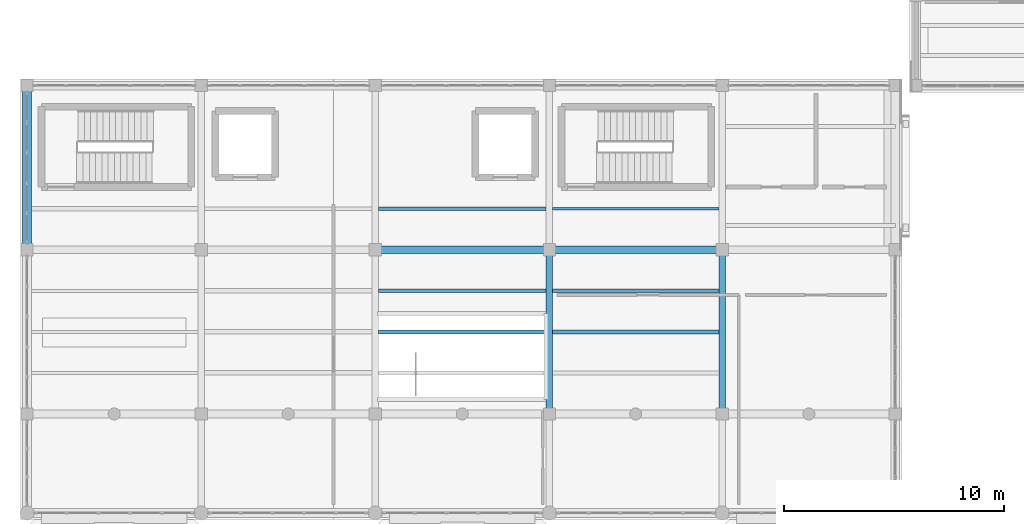
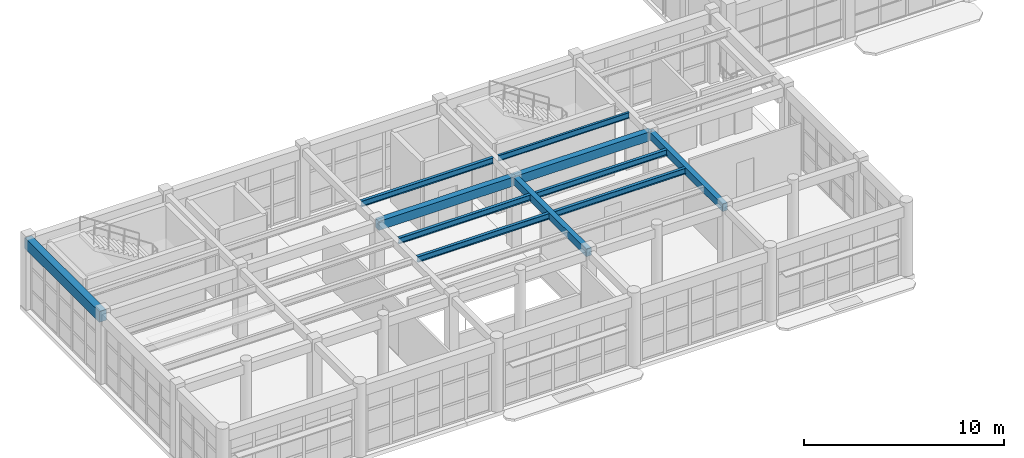
# One storey, part 9 of 85: 11 beams.
"""IFC4 building model written with IfcOpenShell, lengths in metres."""

from ifc_helpers import new_model, si_unit, direction, frame, origin, origin_2d, place, context, subcontext, project, spatial, rectangle, i_section, extrude, material, material_profile, profile_set, type_object, element, save


model = new_model("IFC4")

# Units and contexts
model_context = context("Model", 3, precision=1e-05, world=origin(), true_north=direction((0.0, 1.0)))
body_context = subcontext(model_context, "Body", "Model", "MODEL_VIEW")
ifc_project = project(units=[si_unit("LENGTHUNIT", "METRE"), si_unit("AREAUNIT", "SQUARE_METRE"), si_unit("VOLUMEUNIT", "CUBIC_METRE"), si_unit("PLANEANGLEUNIT", "RADIAN"), si_unit("MASSUNIT", "GRAM", prefix="KILO")], contexts=[model_context])

# Site, building, storey
site_placement = place(None, origin())
site = spatial("IfcSite", under=ifc_project, at=site_placement, CompositionType="ELEMENT")
building_placement = place(site_placement, origin())
building = spatial("IfcBuilding", under=site, at=building_placement, Name="Candilejo Ridge Gondola Terminal", CompositionType="ELEMENT")
storey_placement = place(building_placement, frame((0.0, 0.0, 4.5)))
storey = spatial("IfcBuildingStorey", under=building, at=storey_placement, Name="L01", CompositionType="ELEMENT", Elevation=4.5)

# Beams
ifc_material_1 = material(Name="Concrete f'c 35 MPa (C35/45)", Category="concrete")
ifc_material_profile_1 = material_profile(ifc_material_1, rectangle(XDim=0.300048828125, YDim=0.449951171875, at=origin_2d()))
ifc_profile_set_1 = profile_set([ifc_material_profile_1], Name="Concrete f'c 35 MPa (C35/45)")
beam_type_1 = type_object("IfcBeamType", Name="STR-BM-RC300X450", PredefinedType="BEAM", material=ifc_profile_set_1)
for number, where, z_axis, x_axis, name in (
    (1, (28.0, 10.800048828125, 4.02490234375), (0.0, 1.0, 0.0), (-1.0, 0.0, 0.0), "Beam Y V1 L01 Y02-Y03@X04"),
    (2, (35.85009765625, 10.800048828125, 4.02490234375), (0.0, 1.0, 0.0), (-1.0, 0.0, 0.0), "Beam Y V1 L01 Y02-Y03@X05"),
):
    element("IfcBeam", number, at=place(storey_placement, frame(where, z_axis=z_axis, x_axis=x_axis)), inside=storey, type_object=beam_type_1, Name=name, PredefinedType="BEAM", context=body_context, shape_type="SweptSolid", body=[
        extrude(rectangle(XDim=0.300048828125, YDim=0.449951171875, at=origin_2d()), origin(), (0.0, 0.0, 1.0), 7.449951171875),
    ])
ifc_material_2 = material(Name="Concrete f'c 35 MPa (C35/45)", Category="concrete")
ifc_material_profile_2 = material_profile(ifc_material_2, rectangle(XDim=0.35009765625, YDim=0.550048828125, at=origin_2d()))
ifc_profile_set_2 = profile_set([ifc_material_profile_2], Name="Concrete f'c 35 MPa (C35/45)")
beam_type_2 = type_object("IfcBeamType", Name="STR-BM-RC350X550", PredefinedType="BEAM", material=ifc_profile_set_2)
beam_1_placement = place(storey_placement, frame((20.10009765625, 18.25, 3.97509765625), z_axis=(1.0, 0.0, 0.0), x_axis=(0.0, 1.0, 0.0)))
element("IfcBeam", 3, at=beam_1_placement, inside=storey, type_object=beam_type_2, Name="Beam X V1 L01 X03-X04@Y03", PredefinedType="BEAM", context=body_context, shape_type="SweptSolid", body=[
    extrude(rectangle(XDim=0.35009765625, YDim=0.550048828125, at=origin_2d()), origin(), (0.0, 0.0, 1.0), 7.89990234375),
])
beam_2_placement = place(storey_placement, frame((28.0, 18.25, 3.97509765625), z_axis=(1.0, 0.0, 0.0), x_axis=(0.0, 1.0, 0.0)))
element("IfcBeam", 4, at=beam_2_placement, inside=storey, type_object=beam_type_2, Name="Beam X V1 L01 X04-X05@Y03", PredefinedType="BEAM", context=body_context, shape_type="SweptSolid", body=[
    extrude(rectangle(XDim=0.35009765625, YDim=0.550048828125, at=origin_2d()), origin(), (0.0, 0.0, 1.0), 7.85009765625),
])
ifc_material_3 = material(Name="Steel ASTM A992 Grade 50", Category="steel")
ifc_material_profile_3 = material_profile(ifc_material_3, i_section(OverallWidth=0.1279296875, OverallDepth=0.35302734375, WebThickness=0.006591796875, FlangeThickness=0.0107421875, at=origin_2d()))
ifc_profile_set_3 = profile_set([ifc_material_profile_3], Name="Steel ASTM A992 Grade 50")
beam_type_3 = type_object("IfcBeamType", Name="STR-JST-W360X39", PredefinedType="JOIST", material=ifc_profile_set_3)
beam_3_placement = place(storey_placement, frame((28.14990234375, 20.112548828125, 4.073486328125), z_axis=(1.0, 0.0, 0.0), x_axis=(0.0, 1.0, 0.0)))
element("IfcBeam", 5, at=beam_3_placement, inside=storey, type_object=beam_type_3, Name="Composite joist V1 L01-0132", PredefinedType="JOIST", context=body_context, shape_type="SweptSolid", body=[
    extrude(i_section(OverallWidth=0.1279296875, OverallDepth=0.35302734375, WebThickness=0.006591796875, FlangeThickness=0.0107421875, at=origin_2d()), origin(), (0.0, 0.0, 1.0), 7.550048828125),
])
ifc_material_4 = material(Name="Steel ASTM A992 Grade 50", Category="steel")
ifc_material_profile_4 = material_profile(ifc_material_4, i_section(OverallWidth=0.1708984375, OverallDepth=0.35205078125, WebThickness=0.0068359375, FlangeThickness=0.009765625, at=origin_2d()))
ifc_profile_set_4 = profile_set([ifc_material_profile_4], Name="Steel ASTM A992 Grade 50")
beam_type_4 = type_object("IfcBeamType", Name="STR-JST-W360X44", PredefinedType="JOIST", material=ifc_profile_set_4)
beam_4_placement = place(storey_placement, frame((20.25, 20.112548828125, 4.073974609375), z_axis=(1.0, 0.0, 0.0), x_axis=(0.0, 1.0, 0.0)))
element("IfcBeam", 6, at=beam_4_placement, inside=storey, type_object=beam_type_4, Name="Composite joist V1 L01-0128", PredefinedType="JOIST", context=body_context, shape_type="SweptSolid", body=[
    extrude(i_section(OverallWidth=0.1708984375, OverallDepth=0.35205078125, WebThickness=0.0068359375, FlangeThickness=0.009765625, at=origin_2d()), origin(), (0.0, 0.0, 1.0), 7.60009765625),
])
for number, where, z_axis, x_axis, name in (
    (7, (28.14990234375, 14.52490234375, 4.073974609375), (1.0, 0.0, 0.0), (0.0, 1.0, 0.0), "Composite joist V1 L01-0130"),
    (8, (28.14990234375, 16.387451171875, 4.073974609375), (1.0, 0.0, 0.0), (0.0, 1.0, 0.0), "Composite joist V1 L01-0131"),
):
    element("IfcBeam", number, at=place(storey_placement, frame(where, z_axis=z_axis, x_axis=x_axis)), inside=storey, type_object=beam_type_4, Name=name, PredefinedType="JOIST", context=body_context, shape_type="SweptSolid", body=[
        extrude(i_section(OverallWidth=0.1708984375, OverallDepth=0.35205078125, WebThickness=0.0068359375, FlangeThickness=0.009765625, at=origin_2d()), origin(), (0.0, 0.0, 1.0), 7.550048828125),
    ])
ifc_material_5 = material(Name="Steel ASTM A992 Grade 50", Category="steel")
ifc_material_profile_5 = material_profile(ifc_material_5, i_section(OverallWidth=0.1708984375, OverallDepth=0.35498046875, WebThickness=0.007080078125, FlangeThickness=0.01171875, at=origin_2d()))
ifc_profile_set_5 = profile_set([ifc_material_profile_5], Name="Steel ASTM A992 Grade 50")
beam_type_5 = type_object("IfcBeamType", Name="STR-JST-W360X51", PredefinedType="JOIST", material=ifc_profile_set_5)
for number, where, z_axis, x_axis, name in (
    (9, (20.25, 14.52490234375, 4.072509765625), (1.0, 0.0, 0.0), (0.0, 1.0, 0.0), "Composite joist V1 L01-0126"),
    (10, (20.25, 16.387451171875, 4.072509765625), (1.0, 0.0, 0.0), (0.0, 1.0, 0.0), "Composite joist V1 L01-0127"),
):
    element("IfcBeam", number, at=place(storey_placement, frame(where, z_axis=z_axis, x_axis=x_axis)), inside=storey, type_object=beam_type_5, Name=name, PredefinedType="JOIST", context=body_context, shape_type="SweptSolid", body=[
        extrude(i_section(OverallWidth=0.1708984375, OverallDepth=0.35498046875, WebThickness=0.007080078125, FlangeThickness=0.01171875, at=origin_2d()), origin(), (0.0, 0.0, 1.0), 7.60009765625),
    ])
ifc_material_6 = material(Name="Concrete f'c 35 MPa (C35/45)", Category="concrete")
ifc_material_profile_6 = material_profile(ifc_material_6, rectangle(XDim=0.39990234375, YDim=0.64990234375, at=origin_2d()))
ifc_profile_set_6 = profile_set([ifc_material_profile_6], Name="Concrete f'c 35 MPa (C35/45)")
beam_type_6 = type_object("IfcBeamType", Name="STR-SPN-RC400X650", PredefinedType="SPANDREL", material=ifc_profile_set_6)
beam_5_placement = place(storey_placement, frame((4.300048828125, 18.25, 3.925048828125), z_axis=(0.0, 1.0, 0.0), x_axis=(-1.0, 0.0, 0.0)))
element("IfcBeam", 11, at=beam_5_placement, inside=storey, type_object=beam_type_6, Name="Beam Y V1 L01 Y03-Y05@X01", PredefinedType="SPANDREL", context=body_context, shape_type="SweptSolid", body=[
    extrude(rectangle(XDim=0.39990234375, YDim=0.64990234375, at=origin_2d()), origin(), (0.0, 0.0, 1.0), 7.449951171875),
])

save(model, "model.ifc")
